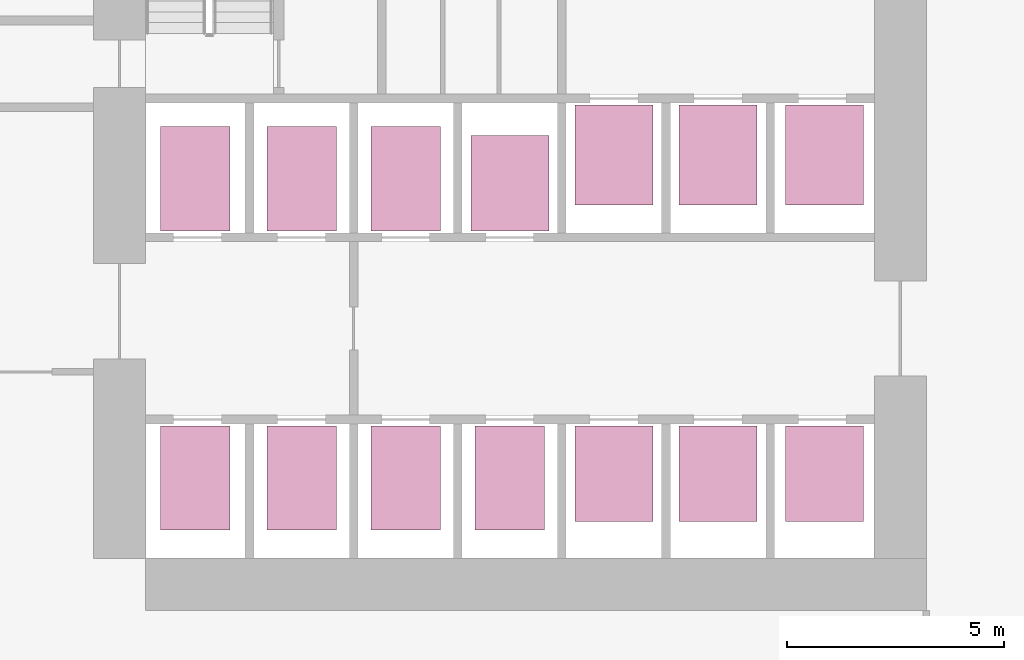
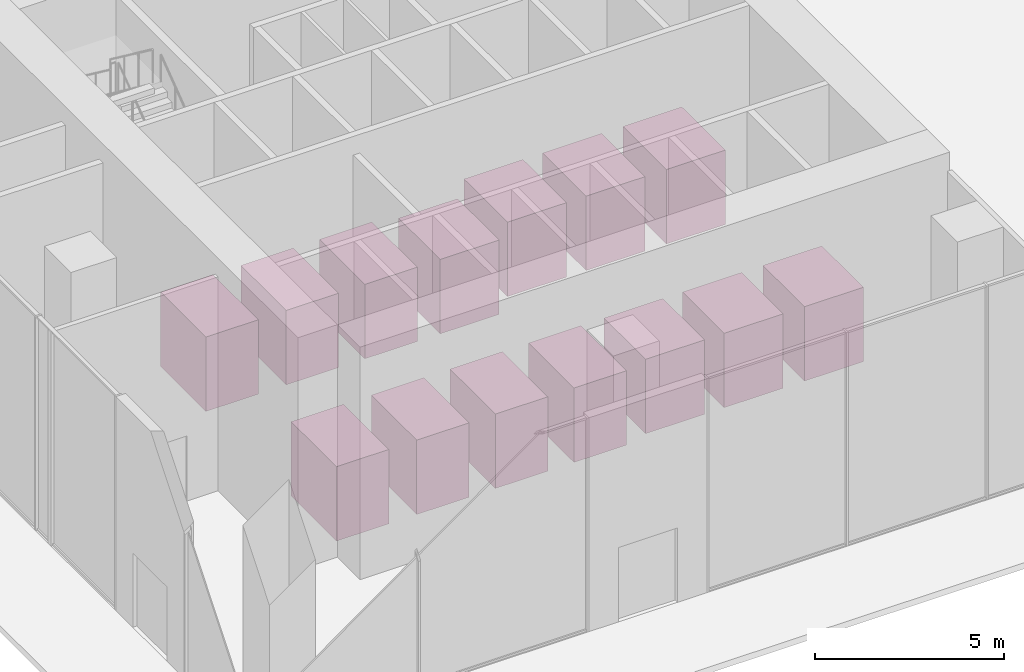
# One storey, part 26 of 26: 14 transport elements.
"""IFC4 building model written with IfcOpenShell, lengths in metres."""

from ifc_helpers import new_model, si_unit, direction, frame, origin, origin_2d, place, context, subcontext, project, spatial, rectangle, extrude, source, transform, mapped, material, type_object, element, save


model = new_model("IFC4")

# Units and contexts
model_context = context("Model", 3, precision=1e-05, world=origin(), true_north=direction((0.0, 1.0)))
body_context = subcontext(model_context, "Body", "Model", "MODEL_VIEW")
ifc_project = project(units=[si_unit("LENGTHUNIT", "METRE"), si_unit("AREAUNIT", "SQUARE_METRE"), si_unit("VOLUMEUNIT", "CUBIC_METRE"), si_unit("PLANEANGLEUNIT", "RADIAN"), si_unit("MASSUNIT", "GRAM", prefix="KILO")], contexts=[model_context])

# Site, building, storey
site_placement = place(None, origin())
site = spatial("IfcSite", under=ifc_project, at=site_placement, CompositionType="ELEMENT")
building_placement = place(site_placement, origin())
building = spatial("IfcBuilding", under=site, at=building_placement, Name="Aurelian Terraces", CompositionType="ELEMENT")
storey_placement = place(building_placement, origin())
storey = spatial("IfcBuildingStorey", under=building, at=storey_placement, Name="L00", CompositionType="ELEMENT", Elevation=0.0)

# Transport elements
ifc_material = material(Name="Stainless steel panelling", Category="steel")
transport_element_type_1 = type_object("IfcTransportElementType", Name="Lift car F", PredefinedType="ELEVATOR", material=ifc_material)
transport_element_1_placement = place(storey_placement, frame((15.0, 13.5, 0.0), z_axis=(0.0, 0.0, 1.0), x_axis=(1.0, 0.0, 0.0)))
element("IfcTransportElement", 1, at=transport_element_1_placement, inside=storey, type_object=transport_element_type_1, Name="F1", PredefinedType="ELEVATOR", context=body_context, shape_type="SweptSolid", body=[
    extrude(rectangle(XDim=1.8, YDim=2.3, at=origin_2d()), origin(), (0.0, 0.0, 1.0), 2.4),
])
transport_element_type_2 = type_object("IfcTransportElementType", Name="Lift car LL", PredefinedType="ELEVATOR", material=ifc_material)
transport_element_2_placement = place(storey_placement, frame((5.35, 6.05, 0.0), z_axis=(0.0, 0.0, 1.0), x_axis=(1.0, 0.0, 0.0)))
element("IfcTransportElement", 2, at=transport_element_2_placement, inside=storey, type_object=transport_element_type_2, Name="LL1", PredefinedType="ELEVATOR", context=body_context, shape_type="SweptSolid", body=[
    extrude(rectangle(XDim=1.6, YDim=2.4, at=origin_2d()), origin(), (0.0, 0.0, 1.0), 2.4),
])
transport_element_type_3 = type_object("IfcTransportElementType", Name="Lift car SH", PredefinedType="ELEVATOR", material=ifc_material)
transport_element_3_placement = place(storey_placement, frame((15.0, 6.15, 0.0), z_axis=(0.0, 0.0, 1.0), x_axis=(1.0, 0.0, 0.0)))
element("IfcTransportElement", 3, at=transport_element_3_placement, inside=storey, type_object=transport_element_type_3, Name="SH1", PredefinedType="ELEVATOR", context=body_context, shape_type="SweptSolid", body=[
    extrude(rectangle(XDim=1.8, YDim=2.2, at=origin_2d()), origin(), (0.0, 0.0, 1.0), 2.4),
])
shared_shape_1 = source(origin(), body_context, "Body", "SweptSolid", [
    extrude(rectangle(XDim=1.6, YDim=2.4, at=origin_2d()), origin(), (0.0, 0.0, 1.0), 2.4),
])
for number, where, z_axis, x_axis, name in (
    (4, (7.8, 6.05, 0.0), (0.0, 0.0, 1.0), (1.0, 0.0, 0.0), "LL2"),
    (5, (10.2, 6.05, 0.0), (0.0, 0.0, 1.0), (1.0, 0.0, 0.0), "LL3"),
    (6, (12.6, 6.05, 0.0), (0.0, 0.0, 1.0), (1.0, 0.0, 0.0), "LL4"),
    (7, (5.35, 12.95, 0.0), (0.0, 0.0, 1.0), (1.0, 0.0, 0.0), "LL5"),
    (8, (7.8, 12.95, 0.0), (0.0, 0.0, 1.0), (1.0, 0.0, 0.0), "LL6"),
    (9, (10.2, 12.95, 0.0), (0.0, 0.0, 1.0), (1.0, 0.0, 0.0), "LL7"),
):
    element("IfcTransportElement", number, at=place(storey_placement, frame(where, z_axis=z_axis, x_axis=x_axis)), inside=storey, type_object=transport_element_type_2, Name=name, PredefinedType="ELEVATOR", context=body_context, shape_type="MappedRepresentation", body=[
        mapped(shared_shape_1, transform((0.0, 0.0, 0.0), scale=1.0)),
    ])
shared_shape_2 = source(origin(), body_context, "Body", "SweptSolid", [
    extrude(rectangle(XDim=1.8, YDim=2.2, at=origin_2d()), origin(), (0.0, 0.0, 1.0), 2.4),
])
for number, where, z_axis, x_axis, name in (
    (10, (17.4, 6.15, 0.0), (0.0, 0.0, 1.0), (1.0, 0.0, 0.0), "SH2"),
    (11, (19.85, 6.15, 0.0), (0.0, 0.0, 1.0), (1.0, 0.0, 0.0), "SH3"),
    (12, (12.6, 12.85, 0.0), (0.0, 0.0, 1.0), (1.0, 0.0, 0.0), "SH4"),
):
    element("IfcTransportElement", number, at=place(storey_placement, frame(where, z_axis=z_axis, x_axis=x_axis)), inside=storey, type_object=transport_element_type_3, Name=name, PredefinedType="ELEVATOR", context=body_context, shape_type="MappedRepresentation", body=[
        mapped(shared_shape_2, transform((0.0, 0.0, 0.0), scale=1.0)),
    ])
shared_shape_3 = source(origin(), body_context, "Body", "SweptSolid", [
    extrude(rectangle(XDim=1.8, YDim=2.3, at=origin_2d()), origin(), (0.0, 0.0, 1.0), 2.4),
])
for number, where, z_axis, x_axis, name in (
    (13, (17.4, 13.5, 0.0), (0.0, 0.0, 1.0), (1.0, 0.0, 0.0), "F2"),
    (14, (19.85, 13.5, 0.0), (0.0, 0.0, 1.0), (1.0, 0.0, 0.0), "F3"),
):
    element("IfcTransportElement", number, at=place(storey_placement, frame(where, z_axis=z_axis, x_axis=x_axis)), inside=storey, type_object=transport_element_type_1, Name=name, PredefinedType="ELEVATOR", context=body_context, shape_type="MappedRepresentation", body=[
        mapped(shared_shape_3, transform((0.0, 0.0, 0.0), scale=1.0)),
    ])

save(model, "model.ifc")
